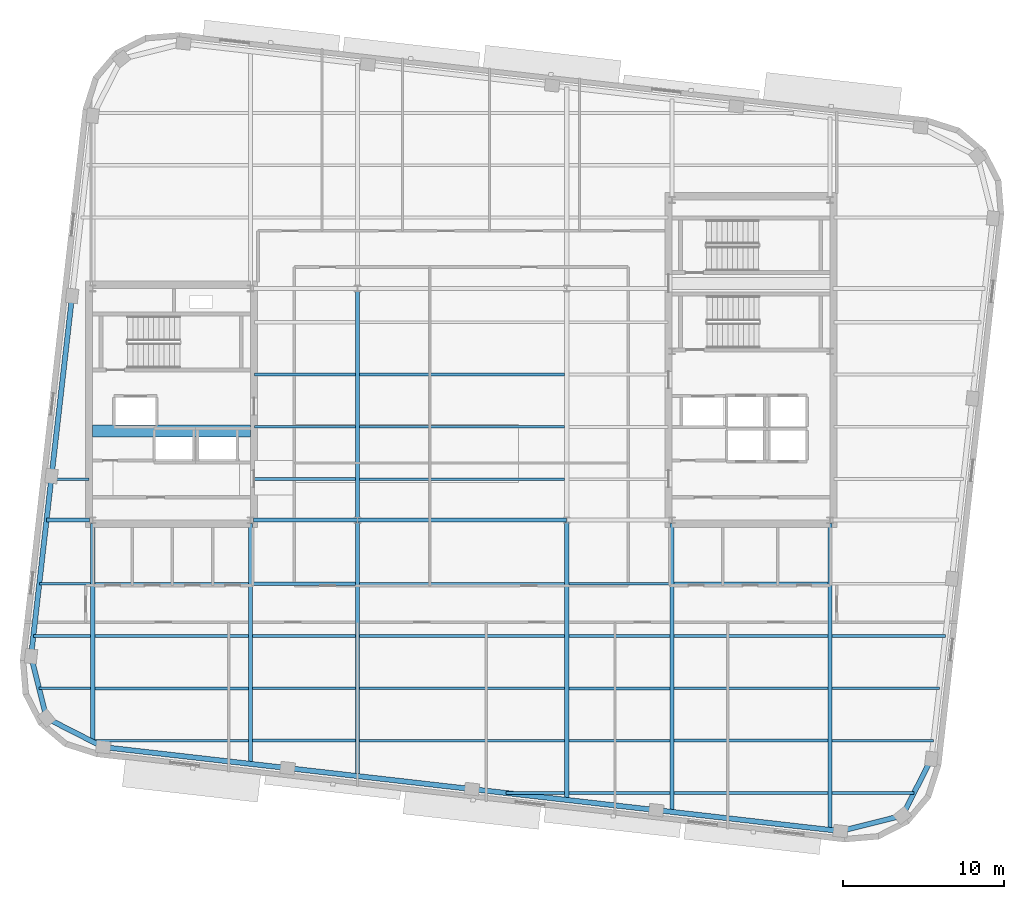
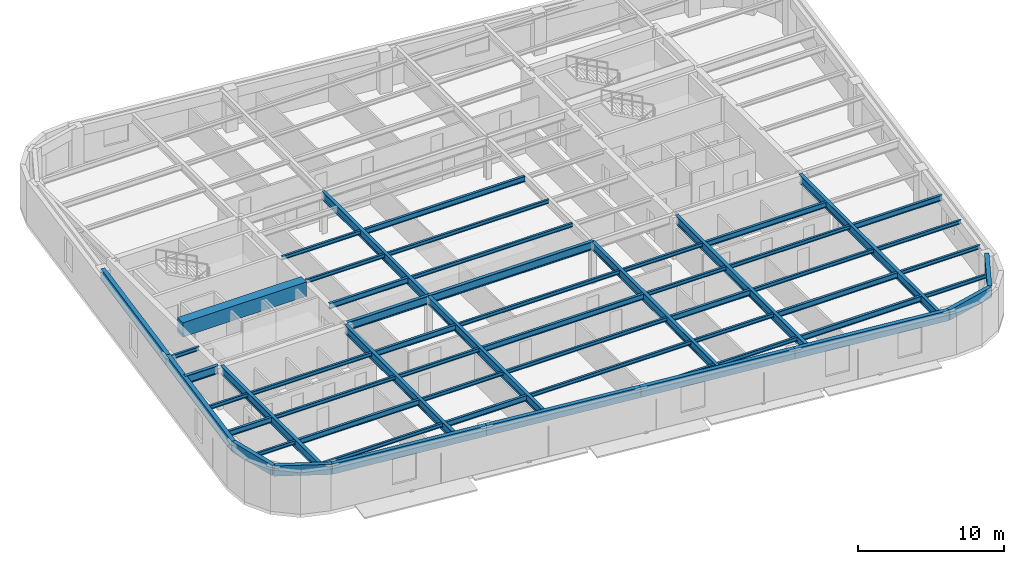
# One storey, part 3 of 13: 58 beams.
"""IFC4 building model written with IfcOpenShell, lengths in metres."""

from ifc_helpers import new_model, si_unit, direction, frame, origin, origin_2d, place, context, subcontext, project, spatial, rectangle, hollow_rectangle, i_section, extrude, material, material_profile, profile_set, type_object, element, save


model = new_model("IFC4")

# Units and contexts
model_context = context("Model", 3, precision=1e-05, world=origin(), true_north=direction((0.0, 1.0)))
body_context = subcontext(model_context, "Body", "Model", "MODEL_VIEW")
ifc_project = project(units=[si_unit("LENGTHUNIT", "METRE"), si_unit("AREAUNIT", "SQUARE_METRE"), si_unit("VOLUMEUNIT", "CUBIC_METRE"), si_unit("PLANEANGLEUNIT", "RADIAN"), si_unit("MASSUNIT", "GRAM", prefix="KILO")], contexts=[model_context])

# Site, building, storey
site_placement = place(None, origin())
site = spatial("IfcSite", under=ifc_project, at=site_placement, CompositionType="ELEMENT")
building_placement = place(site_placement, origin())
building = spatial("IfcBuilding", under=site, at=building_placement, Name="Kolvaren Arena Tower", CompositionType="ELEMENT")
storey_placement = place(building_placement, frame((0.0, 0.0, 250.949951171875)))
storey = spatial("IfcBuildingStorey", under=building, at=storey_placement, Name="L61", CompositionType="ELEMENT", Elevation=250.949951171875)

# Beams
ifc_material_1 = material(Name="Steel CSA G40.21 350W", Category="steel")
ifc_material_profile_1 = material_profile(ifc_material_1, i_section(OverallWidth=0.193115234375, OverallDepth=0.462890625, WebThickness=0.0107421875, FlangeThickness=0.0205078125, FilletRadius=0.012939453125, at=origin_2d()), Name="W460x113")
ifc_profile_set_1 = profile_set([ifc_material_profile_1], Name="Steel CSA G40.21 350W")
beam_type_1 = type_object("IfcBeamType", Name="BEAM-F2", PredefinedType="BEAM", material=ifc_profile_set_1)
beam_1_placement = place(storey_placement, frame((50.677490234375, 2.5, 3.24853515625), z_axis=(1.0, 0.0, 0.0), x_axis=(0.0, 1.0, 0.0)))
element("IfcBeam", 1, at=beam_1_placement, inside=storey, type_object=beam_type_1, Name="Composite Floor Beam (L61)", PredefinedType="BEAM", context=body_context, shape_type="SweptSolid", body=[
    extrude(i_section(OverallWidth=0.193115234375, OverallDepth=0.462890625, WebThickness=0.0107421875, FlangeThickness=0.0205078125, FilletRadius=0.012939453125, at=origin_2d()), origin(), (0.0, 0.0, 1.0), 9.544921875),
])
beam_2_placement = place(storey_placement, frame((24.4775390625, 5.75, 3.24853515625), z_axis=(1.0, 0.0, 0.0), x_axis=(0.0, 1.0, 0.0)))
element("IfcBeam", 2, at=beam_2_placement, inside=storey, type_object=beam_type_1, Name="Composite Floor Beam (L61)", PredefinedType="BEAM", context=body_context, shape_type="SweptSolid", body=[
    extrude(i_section(OverallWidth=0.193115234375, OverallDepth=0.462890625, WebThickness=0.0107421875, FlangeThickness=0.0205078125, FilletRadius=0.012939453125, at=origin_2d()), origin(), (0.0, 0.0, 1.0), 6.39501953125),
])
for number, where, z_axis, x_axis, name in (
    (3, (50.677490234375, 5.75, 3.24853515625), (1.0, 0.0, 0.0), (0.0, 1.0, 0.0), "Composite Floor Beam (L61)"),
    (4, (14.677490234375, 9.0, 3.24853515625), (1.0, 0.0, 0.0), (0.0, 1.0, 0.0), "Composite Floor Beam (L61)"),
):
    element("IfcBeam", number, at=place(storey_placement, frame(where, z_axis=z_axis, x_axis=x_axis)), inside=storey, type_object=beam_type_1, Name=name, PredefinedType="BEAM", context=body_context, shape_type="SweptSolid", body=[
        extrude(i_section(OverallWidth=0.193115234375, OverallDepth=0.462890625, WebThickness=0.0107421875, FlangeThickness=0.0205078125, FilletRadius=0.012939453125, at=origin_2d()), origin(), (0.0, 0.0, 1.0), 9.544921875),
    ])
beam_3_placement = place(storey_placement, frame((44.12744140625, 9.0, 3.24853515625), z_axis=(1.0, 0.0, 0.0), x_axis=(0.0, 1.0, 0.0)))
element("IfcBeam", 5, at=beam_3_placement, inside=storey, type_object=beam_type_1, Name="Composite Floor Beam (L61)", PredefinedType="BEAM", context=body_context, shape_type="SweptSolid", body=[
    extrude(i_section(OverallWidth=0.193115234375, OverallDepth=0.462890625, WebThickness=0.0107421875, FlangeThickness=0.0205078125, FilletRadius=0.012939453125, at=origin_2d()), origin(), (0.0, 0.0, 1.0), 6.295166015625),
])
beam_4_placement = place(storey_placement, frame((10.86083984375, 12.25, 3.24853515625), z_axis=(1.0, 0.0, 0.0), x_axis=(0.0, 1.0, 0.0)))
element("IfcBeam", 6, at=beam_4_placement, inside=storey, type_object=beam_type_1, Name="Composite Floor Beam (L61)", PredefinedType="BEAM", context=body_context, shape_type="SweptSolid", body=[
    extrude(i_section(OverallWidth=0.193115234375, OverallDepth=0.462890625, WebThickness=0.0107421875, FlangeThickness=0.0205078125, FilletRadius=0.012939453125, at=origin_2d()), origin(), (0.0, 0.0, 1.0), 3.561767578125),
])
beam_5_placement = place(storey_placement, frame((31.12744140625, 12.25, 3.24853515625), z_axis=(1.0, 0.0, 0.0), x_axis=(0.0, 1.0, 0.0)))
element("IfcBeam", 7, at=beam_5_placement, inside=storey, type_object=beam_type_1, Name="Composite Floor Beam (L61)", PredefinedType="BEAM", context=body_context, shape_type="SweptSolid", body=[
    extrude(i_section(OverallWidth=0.193115234375, OverallDepth=0.462890625, WebThickness=0.0107421875, FlangeThickness=0.0205078125, FilletRadius=0.012939453125, at=origin_2d()), origin(), (0.0, 0.0, 1.0), 12.7451171875),
])
beam_6_placement = place(storey_placement, frame((60.4775390625, 12.25, 3.24853515625), z_axis=(1.0, 0.0, 0.0), x_axis=(0.0, 1.0, 0.0)))
element("IfcBeam", 8, at=beam_6_placement, inside=storey, type_object=beam_type_1, Name="Composite Floor Beam (L61)", PredefinedType="BEAM", context=body_context, shape_type="SweptSolid", body=[
    extrude(i_section(OverallWidth=0.193115234375, OverallDepth=0.462890625, WebThickness=0.0107421875, FlangeThickness=0.0205078125, FilletRadius=0.012939453125, at=origin_2d()), origin(), (0.0, 0.0, 1.0), 7.04736328125),
])
beam_7_placement = place(storey_placement, frame((24.4775390625, 15.5, 3.24853515625), z_axis=(1.0, 0.0, 0.0), x_axis=(0.0, 1.0, 0.0)))
element("IfcBeam", 9, at=beam_7_placement, inside=storey, type_object=beam_type_1, Name="Composite Floor Beam (L61)", PredefinedType="BEAM", context=body_context, shape_type="SweptSolid", body=[
    extrude(i_section(OverallWidth=0.193115234375, OverallDepth=0.462890625, WebThickness=0.0107421875, FlangeThickness=0.0205078125, FilletRadius=0.012939453125, at=origin_2d()), origin(), (0.0, 0.0, 1.0), 6.39501953125),
])
beam_8_placement = place(storey_placement, frame((50.677490234375, 15.5, 3.24853515625), z_axis=(1.0, 0.0, 0.0), x_axis=(0.0, 1.0, 0.0)))
element("IfcBeam", 10, at=beam_8_placement, inside=storey, type_object=beam_type_1, Name="Composite Floor Beam (L61)", PredefinedType="BEAM", context=body_context, shape_type="SweptSolid", body=[
    extrude(i_section(OverallWidth=0.193115234375, OverallDepth=0.462890625, WebThickness=0.0107421875, FlangeThickness=0.0205078125, FilletRadius=0.012939453125, at=origin_2d()), origin(), (0.0, 0.0, 1.0), 9.544921875),
])
beam_9_placement = place(storey_placement, frame((24.594970703125, 22.0, 3.24853515625), z_axis=(1.0, 0.0, 0.0), x_axis=(0.0, 1.0, 0.0)))
element("IfcBeam", 11, at=beam_9_placement, inside=storey, type_object=beam_type_1, Name="Composite Floor Beam (L61)", PredefinedType="BEAM", context=body_context, shape_type="SweptSolid", body=[
    extrude(i_section(OverallWidth=0.193115234375, OverallDepth=0.462890625, WebThickness=0.0107421875, FlangeThickness=0.0205078125, FilletRadius=0.012939453125, at=origin_2d()), origin(), (0.0, 0.0, 1.0), 6.277587890625),
])
beam_10_placement = place(storey_placement, frame((31.12744140625, 28.5, 3.24853515625), z_axis=(1.0, 0.0, 0.0), x_axis=(0.0, 1.0, 0.0)))
element("IfcBeam", 12, at=beam_10_placement, inside=storey, type_object=beam_type_1, Name="Composite Floor Beam (L61)", PredefinedType="BEAM", context=body_context, shape_type="SweptSolid", body=[
    extrude(i_section(OverallWidth=0.193115234375, OverallDepth=0.462890625, WebThickness=0.0107421875, FlangeThickness=0.0205078125, FilletRadius=0.012939453125, at=origin_2d()), origin(), (0.0, 0.0, 1.0), 12.7451171875),
])
ifc_material_2 = material(Name="Concrete 60 MPa", Category="concrete")
ifc_material_profile_2 = material_profile(ifc_material_2, rectangle(XDim=0.75, YDim=1.199951171875, at=origin_2d()), Name="RC-750x1200")
ifc_profile_set_2 = profile_set([ifc_material_profile_2], Name="Concrete 60 MPa")
beam_type_2 = type_object("IfcBeamType", Name="CB-CORE-2", PredefinedType="BEAM", material=ifc_profile_set_2)
beam_11_placement = place(storey_placement, frame((14.550048828125, 25.0, 3.150146484375), z_axis=(1.0, 0.0, 0.0), x_axis=(0.0, 1.0, 0.0)))
element("IfcBeam", 13, at=beam_11_placement, inside=storey, type_object=beam_type_2, Name="West Core Coupling Beam (L61)", PredefinedType="BEAM", context=body_context, shape_type="SweptSolid", body=[
    extrude(rectangle(XDim=0.75, YDim=1.199951171875, at=origin_2d()), origin(), (0.0, 0.0, 1.0), 9.800048828125),
])
ifc_material_profile_3 = material_profile(ifc_material_1, i_section(OverallWidth=0.2548828125, OverallDepth=0.695068359375, WebThickness=0.01708984375, FlangeThickness=0.02978515625, FilletRadius=0.01611328125, at=origin_2d()), Name="W690x217")
ifc_profile_set_3 = profile_set([ifc_material_profile_3], Name="Steel CSA G40.21 350W")
beam_type_3 = type_object("IfcBeamType", Name="GIRD-T2", PredefinedType="BEAM", material=ifc_profile_set_3)
beam_12_placement = place(storey_placement, frame((11.68115234375, 19.449951171875, 3.132568359375), z_axis=(1.0, 0.0, 0.0), x_axis=(0.0, 1.0, 0.0)))
element("IfcBeam", 14, at=beam_12_placement, inside=storey, type_object=beam_type_3, Name="Primary Floor Girder (L61)", PredefinedType="BEAM", context=body_context, shape_type="SweptSolid", body=[
    extrude(i_section(OverallWidth=0.2548828125, OverallDepth=0.695068359375, WebThickness=0.01708984375, FlangeThickness=0.02978515625, FilletRadius=0.01611328125, at=origin_2d()), origin(), (0.0, 0.0, 1.0), 2.663818359375),
])
beam_13_placement = place(storey_placement, frame((24.554931640625, 19.449951171875, 3.132568359375), z_axis=(1.0, 0.0, 0.0), x_axis=(0.0, 1.0, 0.0)))
element("IfcBeam", 15, at=beam_13_placement, inside=storey, type_object=beam_type_3, Name="Primary Floor Girder (L61)", PredefinedType="BEAM", context=body_context, shape_type="SweptSolid", body=[
    extrude(i_section(OverallWidth=0.2548828125, OverallDepth=0.695068359375, WebThickness=0.01708984375, FlangeThickness=0.02978515625, FilletRadius=0.01611328125, at=origin_2d()), origin(), (0.0, 0.0, 1.0), 6.445068359375),
])
beam_14_placement = place(storey_placement, frame((31.0, 19.449951171875, 3.132568359375), z_axis=(1.0, 0.0, 0.0), x_axis=(0.0, 1.0, 0.0)))
element("IfcBeam", 16, at=beam_14_placement, inside=storey, type_object=beam_type_3, Name="Primary Floor Girder (L61)", PredefinedType="BEAM", context=body_context, shape_type="SweptSolid", body=[
    extrude(i_section(OverallWidth=0.2548828125, OverallDepth=0.695068359375, WebThickness=0.01708984375, FlangeThickness=0.02978515625, FilletRadius=0.01611328125, at=origin_2d()), origin(), (0.0, 0.0, 1.0), 13.0),
])
beam_15_placement = place(storey_placement, frame((14.550048828125, 5.686767578125, 3.132568359375), z_axis=(0.0, 1.0, 0.0), x_axis=(-1.0, 0.0, 0.0)))
element("IfcBeam", 17, at=beam_15_placement, inside=storey, type_object=beam_type_3, Name="Primary Floor Girder (L61)", PredefinedType="BEAM", context=body_context, shape_type="SweptSolid", body=[
    extrude(i_section(OverallWidth=0.2548828125, OverallDepth=0.695068359375, WebThickness=0.01708984375, FlangeThickness=0.02978515625, FilletRadius=0.01611328125, at=origin_2d()), origin(), (0.0, 0.0, 1.0), 13.558349609375),
])
beam_16_placement = place(storey_placement, frame((24.35009765625, 4.30908203125, 3.132568359375), z_axis=(0.0, 1.0, 0.0), x_axis=(-1.0, 0.0, 0.0)))
element("IfcBeam", 18, at=beam_16_placement, inside=storey, type_object=beam_type_3, Name="Primary Floor Girder (L61)", PredefinedType="BEAM", context=body_context, shape_type="SweptSolid", body=[
    extrude(i_section(OverallWidth=0.2548828125, OverallDepth=0.695068359375, WebThickness=0.01708984375, FlangeThickness=0.02978515625, FilletRadius=0.01611328125, at=origin_2d()), origin(), (0.0, 0.0, 1.0), 14.93603515625),
])
beam_17_placement = place(storey_placement, frame((31.0, 3.551513671875, 3.132568359375), z_axis=(0.0, 1.0, 0.0), x_axis=(-1.0, 0.0, 0.0)))
element("IfcBeam", 19, at=beam_17_placement, inside=storey, type_object=beam_type_3, Name="Primary Floor Girder (L61)", PredefinedType="BEAM", context=body_context, shape_type="SweptSolid", body=[
    extrude(i_section(OverallWidth=0.2548828125, OverallDepth=0.695068359375, WebThickness=0.01708984375, FlangeThickness=0.02978515625, FilletRadius=0.01611328125, at=origin_2d()), origin(), (0.0, 0.0, 1.0), 15.8984375),
])
beam_18_placement = place(storey_placement, frame((31.0, 19.449951171875, 3.132568359375), z_axis=(0.0, 1.0, 0.0), x_axis=(-1.0, 0.0, 0.0)))
element("IfcBeam", 20, at=beam_18_placement, inside=storey, type_object=beam_type_3, Name="Primary Floor Girder (L61)", PredefinedType="BEAM", context=body_context, shape_type="SweptSolid", body=[
    extrude(i_section(OverallWidth=0.2548828125, OverallDepth=0.695068359375, WebThickness=0.01708984375, FlangeThickness=0.02978515625, FilletRadius=0.01611328125, at=origin_2d()), origin(), (0.0, 0.0, 1.0), 14.400146484375),
])
beam_19_placement = place(storey_placement, frame((44.0, 2.0703125, 3.132568359375), z_axis=(0.0, 1.0, 0.0), x_axis=(-1.0, 0.0, 0.0)))
element("IfcBeam", 21, at=beam_19_placement, inside=storey, type_object=beam_type_3, Name="Primary Floor Girder (L61)", PredefinedType="BEAM", context=body_context, shape_type="SweptSolid", body=[
    extrude(i_section(OverallWidth=0.2548828125, OverallDepth=0.695068359375, WebThickness=0.01708984375, FlangeThickness=0.02978515625, FilletRadius=0.01611328125, at=origin_2d()), origin(), (0.0, 0.0, 1.0), 17.379638671875),
])
beam_20_placement = place(storey_placement, frame((50.550048828125, 1.323974609375, 3.132568359375), z_axis=(0.0, 1.0, 0.0), x_axis=(-1.0, 0.0, 0.0)))
element("IfcBeam", 22, at=beam_20_placement, inside=storey, type_object=beam_type_3, Name="Primary Floor Girder (L61)", PredefinedType="BEAM", context=body_context, shape_type="SweptSolid", body=[
    extrude(i_section(OverallWidth=0.2548828125, OverallDepth=0.695068359375, WebThickness=0.01708984375, FlangeThickness=0.02978515625, FilletRadius=0.01611328125, at=origin_2d()), origin(), (0.0, 0.0, 1.0), 17.921142578125),
])
beam_21_placement = place(storey_placement, frame((60.35009765625, 0.20751953125, 3.132568359375), z_axis=(0.0, 1.0, 0.0), x_axis=(-1.0, 0.0, 0.0)))
element("IfcBeam", 23, at=beam_21_placement, inside=storey, type_object=beam_type_3, Name="Primary Floor Girder (L61)", PredefinedType="BEAM", context=body_context, shape_type="SweptSolid", body=[
    extrude(i_section(OverallWidth=0.2548828125, OverallDepth=0.695068359375, WebThickness=0.01708984375, FlangeThickness=0.02978515625, FilletRadius=0.01611328125, at=origin_2d()), origin(), (0.0, 0.0, 1.0), 19.03759765625),
])
ifc_material_profile_4 = material_profile(ifc_material_1, i_section(OverallWidth=0.1669921875, OverallDepth=0.31689453125, WebThickness=0.007568359375, FlangeThickness=0.01318359375, FilletRadius=0.010009765625, at=origin_2d()), Name="W310x52")
ifc_profile_set_4 = profile_set([ifc_material_profile_4], Name="Steel CSA G40.21 350W")
beam_type_4 = type_object("IfcBeamType", Name="JOIST-02", PredefinedType="JOIST", material=ifc_profile_set_4)
beam_22_placement = place(storey_placement, frame((40.228271484375, 2.5, 3.321533203125), z_axis=(1.0, 0.0, 0.0), x_axis=(0.0, 1.0, 0.0)))
element("IfcBeam", 24, at=beam_22_placement, inside=storey, type_object=beam_type_4, Name="Composite Floor Joist (L61)", PredefinedType="JOIST", context=body_context, shape_type="SweptSolid", body=[
    extrude(i_section(OverallWidth=0.1669921875, OverallDepth=0.31689453125, WebThickness=0.007568359375, FlangeThickness=0.01318359375, FilletRadius=0.010009765625, at=origin_2d()), origin(), (0.0, 0.0, 1.0), 3.644287109375),
])
beam_23_placement = place(storey_placement, frame((44.12744140625, 2.5, 3.321533203125), z_axis=(1.0, 0.0, 0.0), x_axis=(0.0, 1.0, 0.0)))
element("IfcBeam", 25, at=beam_23_placement, inside=storey, type_object=beam_type_4, Name="Composite Floor Joist (L61)", PredefinedType="JOIST", context=body_context, shape_type="SweptSolid", body=[
    extrude(i_section(OverallWidth=0.1669921875, OverallDepth=0.31689453125, WebThickness=0.007568359375, FlangeThickness=0.01318359375, FilletRadius=0.010009765625, at=origin_2d()), origin(), (0.0, 0.0, 1.0), 6.295166015625),
])
beam_24_placement = place(storey_placement, frame((60.4775390625, 2.5, 3.321533203125), z_axis=(1.0, 0.0, 0.0), x_axis=(0.0, 1.0, 0.0)))
element("IfcBeam", 26, at=beam_24_placement, inside=storey, type_object=beam_type_4, Name="Composite Floor Joist (L61)", PredefinedType="JOIST", context=body_context, shape_type="SweptSolid", body=[
    extrude(i_section(OverallWidth=0.1669921875, OverallDepth=0.31689453125, WebThickness=0.007568359375, FlangeThickness=0.01318359375, FilletRadius=0.010009765625, at=origin_2d()), origin(), (0.0, 0.0, 1.0), 5.09423828125),
])
beam_25_placement = place(storey_placement, frame((14.42626953125, 5.75, 3.321533203125), z_axis=(1.0, 0.0, 0.0), x_axis=(0.0, 1.0, 0.0)))
element("IfcBeam", 27, at=beam_25_placement, inside=storey, type_object=beam_type_4, Name="Composite Floor Joist (L61)", PredefinedType="JOIST", context=body_context, shape_type="SweptSolid", body=[
    extrude(i_section(OverallWidth=0.1669921875, OverallDepth=0.31689453125, WebThickness=0.007568359375, FlangeThickness=0.01318359375, FilletRadius=0.010009765625, at=origin_2d()), origin(), (0.0, 0.0, 1.0), 9.796142578125),
])
beam_26_placement = place(storey_placement, frame((31.12744140625, 5.75, 3.321533203125), z_axis=(1.0, 0.0, 0.0), x_axis=(0.0, 1.0, 0.0)))
element("IfcBeam", 28, at=beam_26_placement, inside=storey, type_object=beam_type_4, Name="Composite Floor Joist (L61)", PredefinedType="JOIST", context=body_context, shape_type="SweptSolid", body=[
    extrude(i_section(OverallWidth=0.1669921875, OverallDepth=0.31689453125, WebThickness=0.007568359375, FlangeThickness=0.01318359375, FilletRadius=0.010009765625, at=origin_2d()), origin(), (0.0, 0.0, 1.0), 12.7451171875),
])
beam_27_placement = place(storey_placement, frame((44.12744140625, 5.75, 3.321533203125), z_axis=(1.0, 0.0, 0.0), x_axis=(0.0, 1.0, 0.0)))
element("IfcBeam", 29, at=beam_27_placement, inside=storey, type_object=beam_type_4, Name="Composite Floor Joist (L61)", PredefinedType="JOIST", context=body_context, shape_type="SweptSolid", body=[
    extrude(i_section(OverallWidth=0.1669921875, OverallDepth=0.31689453125, WebThickness=0.007568359375, FlangeThickness=0.01318359375, FilletRadius=0.010009765625, at=origin_2d()), origin(), (0.0, 0.0, 1.0), 6.295166015625),
])
beam_28_placement = place(storey_placement, frame((60.4775390625, 5.75, 3.321533203125), z_axis=(1.0, 0.0, 0.0), x_axis=(0.0, 1.0, 0.0)))
element("IfcBeam", 30, at=beam_28_placement, inside=storey, type_object=beam_type_4, Name="Composite Floor Joist (L61)", PredefinedType="JOIST", context=body_context, shape_type="SweptSolid", body=[
    extrude(i_section(OverallWidth=0.1669921875, OverallDepth=0.31689453125, WebThickness=0.007568359375, FlangeThickness=0.01318359375, FilletRadius=0.010009765625, at=origin_2d()), origin(), (0.0, 0.0, 1.0), 6.306884765625),
])
beam_29_placement = place(storey_placement, frame((11.217529296875, 9.0, 3.321533203125), z_axis=(1.0, 0.0, 0.0), x_axis=(0.0, 1.0, 0.0)))
element("IfcBeam", 31, at=beam_29_placement, inside=storey, type_object=beam_type_4, Name="Composite Floor Joist (L61)", PredefinedType="JOIST", context=body_context, shape_type="SweptSolid", body=[
    extrude(i_section(OverallWidth=0.1669921875, OverallDepth=0.31689453125, WebThickness=0.007568359375, FlangeThickness=0.01318359375, FilletRadius=0.010009765625, at=origin_2d()), origin(), (0.0, 0.0, 1.0), 3.205078125),
])
beam_30_placement = place(storey_placement, frame((24.4775390625, 9.0, 3.321533203125), z_axis=(1.0, 0.0, 0.0), x_axis=(0.0, 1.0, 0.0)))
element("IfcBeam", 32, at=beam_30_placement, inside=storey, type_object=beam_type_4, Name="Composite Floor Joist (L61)", PredefinedType="JOIST", context=body_context, shape_type="SweptSolid", body=[
    extrude(i_section(OverallWidth=0.1669921875, OverallDepth=0.31689453125, WebThickness=0.007568359375, FlangeThickness=0.01318359375, FilletRadius=0.010009765625, at=origin_2d()), origin(), (0.0, 0.0, 1.0), 6.39501953125),
])
beam_31_placement = place(storey_placement, frame((31.12744140625, 9.0, 3.321533203125), z_axis=(1.0, 0.0, 0.0), x_axis=(0.0, 1.0, 0.0)))
element("IfcBeam", 33, at=beam_31_placement, inside=storey, type_object=beam_type_4, Name="Composite Floor Joist (L61)", PredefinedType="JOIST", context=body_context, shape_type="SweptSolid", body=[
    extrude(i_section(OverallWidth=0.1669921875, OverallDepth=0.31689453125, WebThickness=0.007568359375, FlangeThickness=0.01318359375, FilletRadius=0.010009765625, at=origin_2d()), origin(), (0.0, 0.0, 1.0), 12.7451171875),
])
beam_32_placement = place(storey_placement, frame((50.677490234375, 9.0, 3.321533203125), z_axis=(1.0, 0.0, 0.0), x_axis=(0.0, 1.0, 0.0)))
element("IfcBeam", 34, at=beam_32_placement, inside=storey, type_object=beam_type_4, Name="Composite Floor Joist (L61)", PredefinedType="JOIST", context=body_context, shape_type="SweptSolid", body=[
    extrude(i_section(OverallWidth=0.1669921875, OverallDepth=0.31689453125, WebThickness=0.007568359375, FlangeThickness=0.01318359375, FilletRadius=0.010009765625, at=origin_2d()), origin(), (0.0, 0.0, 1.0), 9.544921875),
])
beam_33_placement = place(storey_placement, frame((60.4775390625, 9.0, 3.321533203125), z_axis=(1.0, 0.0, 0.0), x_axis=(0.0, 1.0, 0.0)))
element("IfcBeam", 35, at=beam_33_placement, inside=storey, type_object=beam_type_4, Name="Composite Floor Joist (L61)", PredefinedType="JOIST", context=body_context, shape_type="SweptSolid", body=[
    extrude(i_section(OverallWidth=0.1669921875, OverallDepth=0.31689453125, WebThickness=0.007568359375, FlangeThickness=0.01318359375, FilletRadius=0.010009765625, at=origin_2d()), origin(), (0.0, 0.0, 1.0), 6.67724609375),
])
beam_34_placement = place(storey_placement, frame((14.677490234375, 12.25, 3.321533203125), z_axis=(1.0, 0.0, 0.0), x_axis=(0.0, 1.0, 0.0)))
element("IfcBeam", 36, at=beam_34_placement, inside=storey, type_object=beam_type_4, Name="Composite Floor Joist (L61)", PredefinedType="JOIST", context=body_context, shape_type="SweptSolid", body=[
    extrude(i_section(OverallWidth=0.1669921875, OverallDepth=0.31689453125, WebThickness=0.007568359375, FlangeThickness=0.01318359375, FilletRadius=0.010009765625, at=origin_2d()), origin(), (0.0, 0.0, 1.0), 9.544921875),
])
beam_35_placement = place(storey_placement, frame((24.4775390625, 12.25, 3.321533203125), z_axis=(1.0, 0.0, 0.0), x_axis=(0.0, 1.0, 0.0)))
element("IfcBeam", 37, at=beam_35_placement, inside=storey, type_object=beam_type_4, Name="Composite Floor Joist (L61)", PredefinedType="JOIST", context=body_context, shape_type="SweptSolid", body=[
    extrude(i_section(OverallWidth=0.1669921875, OverallDepth=0.31689453125, WebThickness=0.007568359375, FlangeThickness=0.01318359375, FilletRadius=0.010009765625, at=origin_2d()), origin(), (0.0, 0.0, 1.0), 6.39501953125),
])
beam_36_placement = place(storey_placement, frame((44.12744140625, 12.25, 3.321533203125), z_axis=(1.0, 0.0, 0.0), x_axis=(0.0, 1.0, 0.0)))
element("IfcBeam", 38, at=beam_36_placement, inside=storey, type_object=beam_type_4, Name="Composite Floor Joist (L61)", PredefinedType="JOIST", context=body_context, shape_type="SweptSolid", body=[
    extrude(i_section(OverallWidth=0.1669921875, OverallDepth=0.31689453125, WebThickness=0.007568359375, FlangeThickness=0.01318359375, FilletRadius=0.010009765625, at=origin_2d()), origin(), (0.0, 0.0, 1.0), 6.295166015625),
])
beam_37_placement = place(storey_placement, frame((50.677490234375, 12.25, 3.321533203125), z_axis=(1.0, 0.0, 0.0), x_axis=(0.0, 1.0, 0.0)))
element("IfcBeam", 39, at=beam_37_placement, inside=storey, type_object=beam_type_4, Name="Composite Floor Joist (L61)", PredefinedType="JOIST", context=body_context, shape_type="SweptSolid", body=[
    extrude(i_section(OverallWidth=0.1669921875, OverallDepth=0.31689453125, WebThickness=0.007568359375, FlangeThickness=0.01318359375, FilletRadius=0.010009765625, at=origin_2d()), origin(), (0.0, 0.0, 1.0), 9.544921875),
])
beam_38_placement = place(storey_placement, frame((11.23095703125, 15.5, 3.321533203125), z_axis=(1.0, 0.0, 0.0), x_axis=(0.0, 1.0, 0.0)))
element("IfcBeam", 40, at=beam_38_placement, inside=storey, type_object=beam_type_4, Name="Composite Floor Joist (L61)", PredefinedType="JOIST", context=body_context, shape_type="SweptSolid", body=[
    extrude(i_section(OverallWidth=0.1669921875, OverallDepth=0.31689453125, WebThickness=0.007568359375, FlangeThickness=0.01318359375, FilletRadius=0.010009765625, at=origin_2d()), origin(), (0.0, 0.0, 1.0), 3.191650390625),
])
beam_39_placement = place(storey_placement, frame((14.677490234375, 15.5, 3.321533203125), z_axis=(1.0, 0.0, 0.0), x_axis=(0.0, 1.0, 0.0)))
element("IfcBeam", 41, at=beam_39_placement, inside=storey, type_object=beam_type_4, Name="Composite Floor Joist (L61)", PredefinedType="JOIST", context=body_context, shape_type="SweptSolid", body=[
    extrude(i_section(OverallWidth=0.1669921875, OverallDepth=0.31689453125, WebThickness=0.007568359375, FlangeThickness=0.01318359375, FilletRadius=0.010009765625, at=origin_2d()), origin(), (0.0, 0.0, 1.0), 9.544921875),
])
beam_40_placement = place(storey_placement, frame((31.12744140625, 15.5, 3.321533203125), z_axis=(1.0, 0.0, 0.0), x_axis=(0.0, 1.0, 0.0)))
element("IfcBeam", 42, at=beam_40_placement, inside=storey, type_object=beam_type_4, Name="Composite Floor Joist (L61)", PredefinedType="JOIST", context=body_context, shape_type="SweptSolid", body=[
    extrude(i_section(OverallWidth=0.1669921875, OverallDepth=0.31689453125, WebThickness=0.007568359375, FlangeThickness=0.01318359375, FilletRadius=0.010009765625, at=origin_2d()), origin(), (0.0, 0.0, 1.0), 12.7451171875),
])
beam_41_placement = place(storey_placement, frame((44.12744140625, 15.5, 3.321533203125), z_axis=(1.0, 0.0, 0.0), x_axis=(0.0, 1.0, 0.0)))
element("IfcBeam", 43, at=beam_41_placement, inside=storey, type_object=beam_type_4, Name="Composite Floor Joist (L61)", PredefinedType="JOIST", context=body_context, shape_type="SweptSolid", body=[
    extrude(i_section(OverallWidth=0.1669921875, OverallDepth=0.31689453125, WebThickness=0.007568359375, FlangeThickness=0.01318359375, FilletRadius=0.010009765625, at=origin_2d()), origin(), (0.0, 0.0, 1.0), 6.295166015625),
])
beam_42_placement = place(storey_placement, frame((11.9716796875, 22.0, 3.321533203125), z_axis=(1.0, 0.0, 0.0), x_axis=(0.0, 1.0, 0.0)))
element("IfcBeam", 44, at=beam_42_placement, inside=storey, type_object=beam_type_4, Name="Composite Floor Joist (L61)", PredefinedType="JOIST", context=body_context, shape_type="SweptSolid", body=[
    extrude(i_section(OverallWidth=0.1669921875, OverallDepth=0.31689453125, WebThickness=0.007568359375, FlangeThickness=0.01318359375, FilletRadius=0.010009765625, at=origin_2d()), origin(), (0.0, 0.0, 1.0), 2.333251953125),
])
beam_43_placement = place(storey_placement, frame((31.12744140625, 22.0, 3.321533203125), z_axis=(1.0, 0.0, 0.0), x_axis=(0.0, 1.0, 0.0)))
element("IfcBeam", 45, at=beam_43_placement, inside=storey, type_object=beam_type_4, Name="Composite Floor Joist (L61)", PredefinedType="JOIST", context=body_context, shape_type="SweptSolid", body=[
    extrude(i_section(OverallWidth=0.1669921875, OverallDepth=0.31689453125, WebThickness=0.007568359375, FlangeThickness=0.01318359375, FilletRadius=0.010009765625, at=origin_2d()), origin(), (0.0, 0.0, 1.0), 12.7451171875),
])
beam_44_placement = place(storey_placement, frame((24.594970703125, 25.25, 3.321533203125), z_axis=(1.0, 0.0, 0.0), x_axis=(0.0, 1.0, 0.0)))
element("IfcBeam", 46, at=beam_44_placement, inside=storey, type_object=beam_type_4, Name="Composite Floor Joist (L61)", PredefinedType="JOIST", context=body_context, shape_type="SweptSolid", body=[
    extrude(i_section(OverallWidth=0.1669921875, OverallDepth=0.31689453125, WebThickness=0.007568359375, FlangeThickness=0.01318359375, FilletRadius=0.010009765625, at=origin_2d()), origin(), (0.0, 0.0, 1.0), 6.277587890625),
])
beam_45_placement = place(storey_placement, frame((31.12744140625, 25.25, 3.321533203125), z_axis=(1.0, 0.0, 0.0), x_axis=(0.0, 1.0, 0.0)))
element("IfcBeam", 47, at=beam_45_placement, inside=storey, type_object=beam_type_4, Name="Composite Floor Joist (L61)", PredefinedType="JOIST", context=body_context, shape_type="SweptSolid", body=[
    extrude(i_section(OverallWidth=0.1669921875, OverallDepth=0.31689453125, WebThickness=0.007568359375, FlangeThickness=0.01318359375, FilletRadius=0.010009765625, at=origin_2d()), origin(), (0.0, 0.0, 1.0), 12.7451171875),
])
beam_46_placement = place(storey_placement, frame((24.594970703125, 28.5, 3.321533203125), z_axis=(1.0, 0.0, 0.0), x_axis=(0.0, 1.0, 0.0)))
element("IfcBeam", 48, at=beam_46_placement, inside=storey, type_object=beam_type_4, Name="Composite Floor Joist (L61)", PredefinedType="JOIST", context=body_context, shape_type="SweptSolid", body=[
    extrude(i_section(OverallWidth=0.1669921875, OverallDepth=0.31689453125, WebThickness=0.007568359375, FlangeThickness=0.01318359375, FilletRadius=0.010009765625, at=origin_2d()), origin(), (0.0, 0.0, 1.0), 6.277587890625),
])
ifc_material_3 = material(Name="Steel CSA G40.21 350WT", Category="steel")
ifc_material_profile_5 = material_profile(ifc_material_3, hollow_rectangle(XDim=0.320068359375, YDim=0.860107421875, WallThickness=0.01806640625, at=origin_2d()), Name="HSS 860x320x18")
ifc_profile_set_5 = profile_set([ifc_material_profile_5], Name="Steel CSA G40.21 350WT")
beam_type_5 = type_object("IfcBeamType", Name="SPAND-02", PredefinedType="SPANDREL", material=ifc_profile_set_5)
for number, where, z_axis, x_axis, name in (
    (49, (15.207763671875, 5.350830078125, 3.050048828125), (0.99357166944, -0.113204848336, 0.0), (0.113204848336, 0.99357166944, 0.0), "Perimeter Spandrel Beam (L61)"),
    (50, (26.65869140625, 4.046142578125, 3.050048828125), (0.99357166944, -0.113204848336, 0.0), (0.113204848336, 0.99357166944, 0.0), "Perimeter Spandrel Beam (L61)"),
):
    element("IfcBeam", number, at=place(storey_placement, frame(where, z_axis=z_axis, x_axis=x_axis)), inside=storey, type_object=beam_type_5, Name=name, PredefinedType="SPANDREL", context=body_context, shape_type="SweptSolid", body=[
        extrude(hollow_rectangle(XDim=0.320068359375, YDim=0.860107421875, WallThickness=0.01806640625, at=origin_2d()), origin(), (0.0, 0.0, 1.0), 11.52490234375),
    ])
beam_47_placement = place(storey_placement, frame((38.109619140625, 2.741455078125, 3.050048828125), z_axis=(0.993571397957, -0.113207231049, 0.0), x_axis=(0.113207231049, 0.993571397957, 0.0)))
element("IfcBeam", 51, at=beam_47_placement, inside=storey, type_object=beam_type_5, Name="Perimeter Spandrel Beam (L61)", PredefinedType="SPANDREL", context=body_context, shape_type="SweptSolid", body=[
    extrude(hollow_rectangle(XDim=0.320068359375, YDim=0.860107421875, WallThickness=0.01806640625, at=origin_2d()), origin(), (0.0, 0.0, 1.0), 11.524658203125),
])
beam_48_placement = place(storey_placement, frame((49.560302734375, 1.436767578125, 3.050048828125), z_axis=(0.993571940905, -0.113202465721, 0.0), x_axis=(0.113202465721, 0.993571940905, 0.0)))
element("IfcBeam", 52, at=beam_48_placement, inside=storey, type_object=beam_type_5, Name="Perimeter Spandrel Beam (L61)", PredefinedType="SPANDREL", context=body_context, shape_type="SweptSolid", body=[
    extrude(hollow_rectangle(XDim=0.320068359375, YDim=0.860107421875, WallThickness=0.01806640625, at=origin_2d()), origin(), (0.0, 0.0, 1.0), 11.525146484375),
])
beam_49_placement = place(storey_placement, frame((61.011474609375, 0.132080078125, 3.050048828125), z_axis=(0.970033632471, 0.242970681103, 0.0), x_axis=(-0.242970681103, 0.970033632471, 0.0)))
element("IfcBeam", 53, at=beam_49_placement, inside=storey, type_object=beam_type_5, Name="Perimeter Spandrel Beam (L61)", PredefinedType="SPANDREL", context=body_context, shape_type="SweptSolid", body=[
    extrude(hollow_rectangle(XDim=0.320068359375, YDim=0.860107421875, WallThickness=0.01806640625, at=origin_2d()), origin(), (0.0, 0.0, 1.0), 3.9609375),
])
beam_50_placement = place(storey_placement, frame((64.853759765625, 1.094482421875, 3.050048828125), z_axis=(0.454962284061, 0.89051070745, 0.0), x_axis=(-0.89051070745, 0.454962284061, 0.0)))
element("IfcBeam", 54, at=beam_50_placement, inside=storey, type_object=beam_type_5, Name="Perimeter Spandrel Beam (L61)", PredefinedType="SPANDREL", context=body_context, shape_type="SweptSolid", body=[
    extrude(hollow_rectangle(XDim=0.320068359375, YDim=0.860107421875, WallThickness=0.01806640625, at=origin_2d()), origin(), (0.0, 0.0, 1.0), 3.96142578125),
])
beam_51_placement = place(storey_placement, frame((13.268798828125, 33.3837890625, 3.050048828125), z_axis=(-0.113220850685, -0.993569846045, 0.0), x_axis=(0.993569846045, -0.113220850685, 0.0)))
element("IfcBeam", 55, at=beam_51_placement, inside=storey, type_object=beam_type_5, Name="Perimeter Spandrel Beam (L61)", PredefinedType="SPANDREL", context=body_context, shape_type="SweptSolid", body=[
    extrude(hollow_rectangle(XDim=0.320068359375, YDim=0.860107421875, WallThickness=0.01806640625, at=origin_2d()), origin(), (0.0, 0.0, 1.0), 11.266845703125),
])
beam_52_placement = place(storey_placement, frame((11.9931640625, 22.189453125, 3.050048828125), z_axis=(-0.113201896536, -0.993572005755, 0.0), x_axis=(0.993572005755, -0.113201896536, 0.0)))
element("IfcBeam", 56, at=beam_52_placement, inside=storey, type_object=beam_type_5, Name="Perimeter Spandrel Beam (L61)", PredefinedType="SPANDREL", context=body_context, shape_type="SweptSolid", body=[
    extrude(hollow_rectangle(XDim=0.320068359375, YDim=0.860107421875, WallThickness=0.01806640625, at=origin_2d()), origin(), (0.0, 0.0, 1.0), 11.2666015625),
])
beam_53_placement = place(storey_placement, frame((10.7177734375, 10.995361328125, 3.050048828125), z_axis=(0.243014148252, -0.970022743934, 0.0), x_axis=(0.970022743934, 0.243014148252, 0.0)))
element("IfcBeam", 57, at=beam_53_placement, inside=storey, type_object=beam_type_5, Name="Perimeter Spandrel Beam (L61)", PredefinedType="SPANDREL", context=body_context, shape_type="SweptSolid", body=[
    extrude(hollow_rectangle(XDim=0.320068359375, YDim=0.860107421875, WallThickness=0.01806640625, at=origin_2d()), origin(), (0.0, 0.0, 1.0), 3.961181640625),
])
beam_54_placement = place(storey_placement, frame((11.680419921875, 7.15283203125, 3.050048828125), z_axis=(0.890522920884, -0.454938377564, 0.0), x_axis=(0.454938377564, 0.890522920884, 0.0)))
element("IfcBeam", 58, at=beam_54_placement, inside=storey, type_object=beam_type_5, Name="Perimeter Spandrel Beam (L61)", PredefinedType="SPANDREL", context=body_context, shape_type="SweptSolid", body=[
    extrude(hollow_rectangle(XDim=0.320068359375, YDim=0.860107421875, WallThickness=0.01806640625, at=origin_2d()), origin(), (0.0, 0.0, 1.0), 3.9609375),
])

save(model, "model.ifc")
